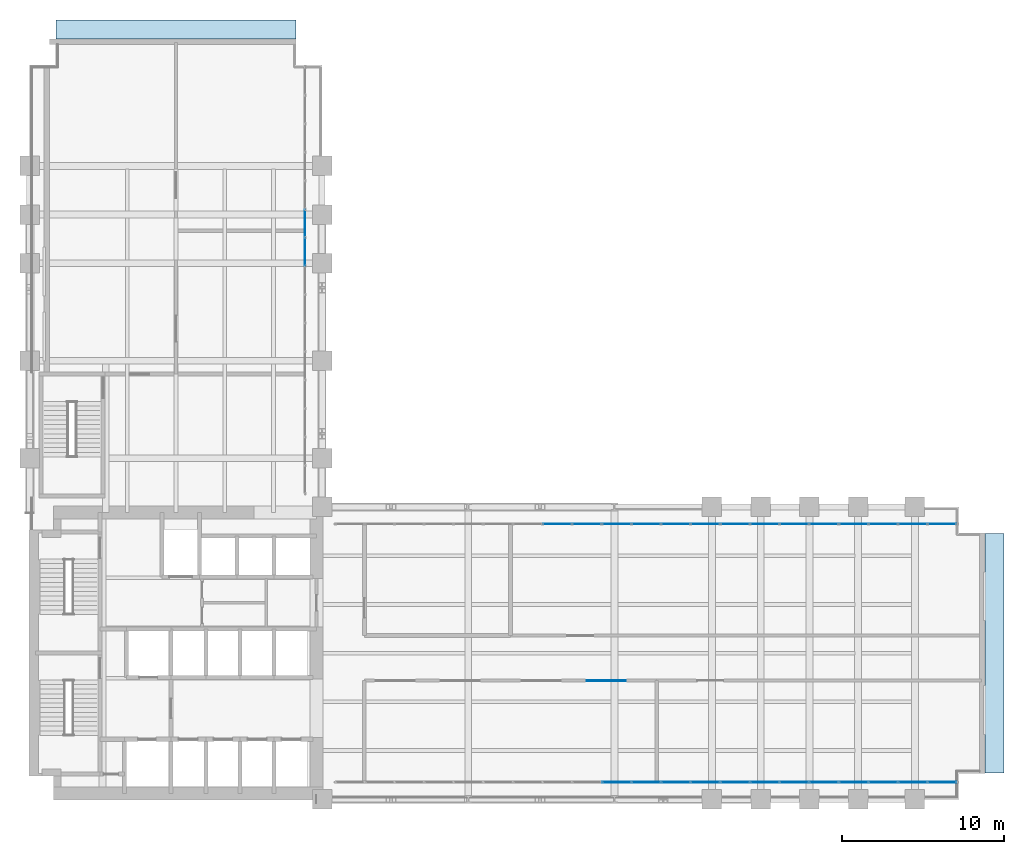
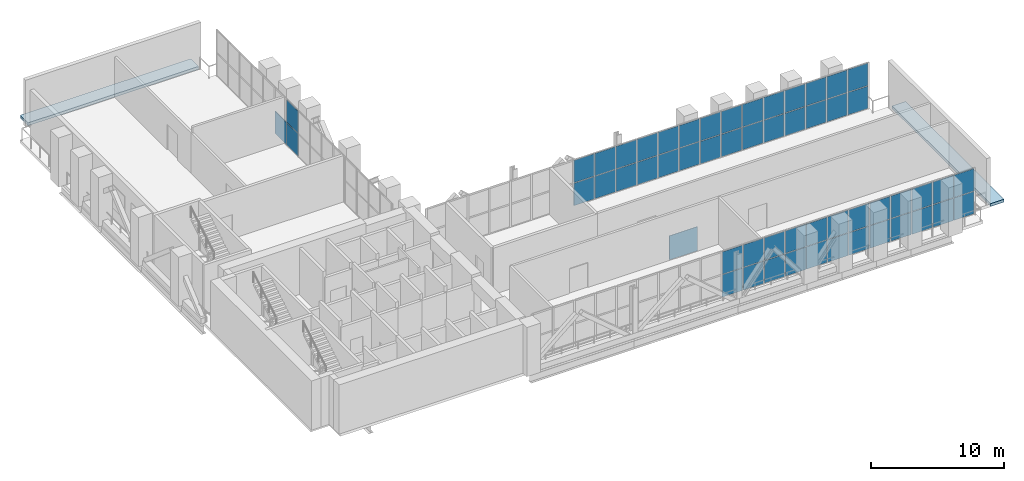
# One storey, part 22 of 27: 56 plates, 2 slabs, 3 elements without a shape of their own.
"""IFC4 building model written with IfcOpenShell, lengths in metres."""

from ifc_helpers import new_model, si_unit, direction, frame, origin, origin_2d, place, context, subcontext, project, spatial, polyline, rectangle, outline, extrude, material, layer, layer_set, type_object, element, aggregate, save


model = new_model("IFC4")

# Units and contexts
model_context = context("Model", 3, precision=1e-05, world=origin(), true_north=direction((0.0, 1.0)))
body_context = subcontext(model_context, "Body", "Model", "MODEL_VIEW")
ifc_project = project(units=[si_unit("LENGTHUNIT", "METRE"), si_unit("AREAUNIT", "SQUARE_METRE"), si_unit("VOLUMEUNIT", "CUBIC_METRE"), si_unit("PLANEANGLEUNIT", "RADIAN"), si_unit("MASSUNIT", "GRAM", prefix="KILO")], contexts=[model_context])

# Site, building, storey
site_placement = place(None, origin())
site = spatial("IfcSite", under=ifc_project, at=site_placement, CompositionType="ELEMENT")
building_placement = place(site_placement, origin())
building = spatial("IfcBuilding", under=site, at=building_placement, Name="Mawjdan Bourse Tower", CompositionType="ELEMENT")
storey_placement = place(building_placement, frame((0.0, 0.0, 84.60009765625)))
storey = spatial("IfcBuildingStorey", under=building, at=storey_placement, Name="L19", CompositionType="ELEMENT", Elevation=84.60009765625)

# Plate
ifc_material_1 = material(Name="Perforated Acoustic Aluminium Sheet", Category="aluminium")
ifc_layer_1 = layer(ifc_material_1, 0.044921875)
ifc_layer_set_1 = layer_set([ifc_layer_1], Name="Perforated Acoustic Aluminium Sheet")
plate_type_1 = type_object("IfcPlateType", Name="PLT-SCR-2400", PredefinedType="SHEET", material=ifc_layer_set_1)
plate_1_placement = place(storey_placement, frame((41.5, 10.300048828125, 0.0), z_axis=(0.0, 0.0, 1.0), x_axis=(1.0, 0.0, 0.0)))
element("IfcPlate", 1, at=plate_1_placement, inside=storey, type_object=plate_type_1, Name="L19 Acoustic Plant Plenum Screen 4", PredefinedType="SHEET", context=body_context, shape_type="SweptSolid", body=[
    extrude(rectangle(XDim=2.39990234375, YDim=0.044921875, at=origin_2d()), origin(), (0.0, 0.0, 1.0), 2.199951171875),
])

# Curtain wall, plates
ifc_material_2 = material(Name="Thermally Broken Aluminium and Solar Glass", Category="aluminium")
ifc_layer_2 = layer(ifc_material_2, 0.219970703125)
ifc_layer_set_2 = layer_set([ifc_layer_2], Name="Thermally Broken Aluminium and Solar Glass")
curtain_wall_type = type_object("IfcCurtainWallType", Name="CW-RFG", PredefinedType="USERDEFINED", material=ifc_layer_set_2)
curtain_wall_1_placement = place(storey_placement, origin())
curtain_wall_1 = element("IfcCurtainWall", 2, at=curtain_wall_1_placement, inside=storey, type_object=curtain_wall_type, Name="L19 Refuge Band South Louvre Curtain Wall", ObjectType="REFUGE BAND LOUVRE SCREEN", PredefinedType="USERDEFINED")
ifc_material_3 = material(Name="Anodised Sand-Trap Aluminium Louvre", Category="aluminium")
ifc_layer_3 = layer(ifc_material_3, 0.050048828125)
ifc_layer_set_3 = layer_set([ifc_layer_3], Name="Anodised Sand-Trap Aluminium Louvre")
plate_type_2 = type_object("IfcPlateType", Name="PNL-CW-RFG", PredefinedType="CURTAIN_PANEL", material=ifc_layer_set_3)
plate_2_placement = place(storey_placement, frame((42.126220703125, 4.050048828125, 0.054931640625), z_axis=(0.0, 0.0, 1.0), x_axis=(1.0, 0.0, 0.0)))
plate_2 = element("IfcPlate", 3, at=plate_2_placement, type_object=plate_type_2, Name="CW-RFG-L19-RFG-S panel 10.1", PredefinedType="CURTAIN_PANEL", context=body_context, shape_type="SweptSolid", body=[
    extrude(rectangle(XDim=1.7587890625, YDim=0.050048828125, at=origin_2d()), origin(), (0.0, 0.0, 1.0), 2.04248046875),
])
plate_3_placement = place(storey_placement, frame((42.126220703125, 4.050048828125, 2.15234375), z_axis=(0.0, 0.0, 1.0), x_axis=(1.0, 0.0, 0.0)))
plate_3 = element("IfcPlate", 4, at=plate_3_placement, type_object=plate_type_2, Name="CW-RFG-L19-RFG-S panel 10.2", PredefinedType="CURTAIN_PANEL", context=body_context, shape_type="SweptSolid", body=[
    extrude(rectangle(XDim=1.7587890625, YDim=0.050048828125, at=origin_2d()), origin(), (0.0, 0.0, 1.0), 2.04248046875),
])
plate_4_placement = place(storey_placement, frame((43.949951171875, 4.050048828125, 0.054931640625), z_axis=(0.0, 0.0, 1.0), x_axis=(1.0, 0.0, 0.0)))
plate_4 = element("IfcPlate", 5, at=plate_4_placement, type_object=plate_type_2, Name="CW-RFG-L19-RFG-S panel 11.1", PredefinedType="CURTAIN_PANEL", context=body_context, shape_type="SweptSolid", body=[
    extrude(rectangle(XDim=1.7587890625, YDim=0.050048828125, at=origin_2d()), origin(), (0.0, 0.0, 1.0), 2.04248046875),
])
plate_5_placement = place(storey_placement, frame((43.949951171875, 4.050048828125, 2.15234375), z_axis=(0.0, 0.0, 1.0), x_axis=(1.0, 0.0, 0.0)))
plate_5 = element("IfcPlate", 6, at=plate_5_placement, type_object=plate_type_2, Name="CW-RFG-L19-RFG-S panel 11.2", PredefinedType="CURTAIN_PANEL", context=body_context, shape_type="SweptSolid", body=[
    extrude(rectangle(XDim=1.7587890625, YDim=0.050048828125, at=origin_2d()), origin(), (0.0, 0.0, 1.0), 2.04248046875),
])
plate_6_placement = place(storey_placement, frame((45.77392578125, 4.050048828125, 0.054931640625), z_axis=(0.0, 0.0, 1.0), x_axis=(1.0, 0.0, 0.0)))
plate_6 = element("IfcPlate", 7, at=plate_6_placement, type_object=plate_type_2, Name="CW-RFG-L19-RFG-S panel 12.1", PredefinedType="CURTAIN_PANEL", context=body_context, shape_type="SweptSolid", body=[
    extrude(rectangle(XDim=1.7587890625, YDim=0.050048828125, at=origin_2d()), origin(), (0.0, 0.0, 1.0), 2.04248046875),
])
plate_7_placement = place(storey_placement, frame((45.77392578125, 4.050048828125, 2.15234375), z_axis=(0.0, 0.0, 1.0), x_axis=(1.0, 0.0, 0.0)))
plate_7 = element("IfcPlate", 8, at=plate_7_placement, type_object=plate_type_2, Name="CW-RFG-L19-RFG-S panel 12.2", PredefinedType="CURTAIN_PANEL", context=body_context, shape_type="SweptSolid", body=[
    extrude(rectangle(XDim=1.7587890625, YDim=0.050048828125, at=origin_2d()), origin(), (0.0, 0.0, 1.0), 2.04248046875),
])
plate_8_placement = place(storey_placement, frame((47.59765625, 4.050048828125, 0.054931640625), z_axis=(0.0, 0.0, 1.0), x_axis=(1.0, 0.0, 0.0)))
plate_8 = element("IfcPlate", 9, at=plate_8_placement, type_object=plate_type_2, Name="CW-RFG-L19-RFG-S panel 13.1", PredefinedType="CURTAIN_PANEL", context=body_context, shape_type="SweptSolid", body=[
    extrude(rectangle(XDim=1.7587890625, YDim=0.050048828125, at=origin_2d()), origin(), (0.0, 0.0, 1.0), 2.04248046875),
])
plate_9_placement = place(storey_placement, frame((47.59765625, 4.050048828125, 2.15234375), z_axis=(0.0, 0.0, 1.0), x_axis=(1.0, 0.0, 0.0)))
plate_9 = element("IfcPlate", 10, at=plate_9_placement, type_object=plate_type_2, Name="CW-RFG-L19-RFG-S panel 13.2", PredefinedType="CURTAIN_PANEL", context=body_context, shape_type="SweptSolid", body=[
    extrude(rectangle(XDim=1.7587890625, YDim=0.050048828125, at=origin_2d()), origin(), (0.0, 0.0, 1.0), 2.04248046875),
])
plate_10_placement = place(storey_placement, frame((49.42138671875, 4.050048828125, 0.054931640625), z_axis=(0.0, 0.0, 1.0), x_axis=(1.0, 0.0, 0.0)))
plate_10 = element("IfcPlate", 11, at=plate_10_placement, type_object=plate_type_2, Name="CW-RFG-L19-RFG-S panel 14.1", PredefinedType="CURTAIN_PANEL", context=body_context, shape_type="SweptSolid", body=[
    extrude(rectangle(XDim=1.7587890625, YDim=0.050048828125, at=origin_2d()), origin(), (0.0, 0.0, 1.0), 2.04248046875),
])
plate_11_placement = place(storey_placement, frame((49.42138671875, 4.050048828125, 2.15234375), z_axis=(0.0, 0.0, 1.0), x_axis=(1.0, 0.0, 0.0)))
plate_11 = element("IfcPlate", 12, at=plate_11_placement, type_object=plate_type_2, Name="CW-RFG-L19-RFG-S panel 14.2", PredefinedType="CURTAIN_PANEL", context=body_context, shape_type="SweptSolid", body=[
    extrude(rectangle(XDim=1.7587890625, YDim=0.050048828125, at=origin_2d()), origin(), (0.0, 0.0, 1.0), 2.04248046875),
])
plate_12_placement = place(storey_placement, frame((51.2451171875, 4.050048828125, 0.054931640625), z_axis=(0.0, 0.0, 1.0), x_axis=(1.0, 0.0, 0.0)))
plate_12 = element("IfcPlate", 13, at=plate_12_placement, type_object=plate_type_2, Name="CW-RFG-L19-RFG-S panel 15.1", PredefinedType="CURTAIN_PANEL", context=body_context, shape_type="SweptSolid", body=[
    extrude(rectangle(XDim=1.7587890625, YDim=0.050048828125, at=origin_2d()), origin(), (0.0, 0.0, 1.0), 2.04248046875),
])
plate_13_placement = place(storey_placement, frame((51.2451171875, 4.050048828125, 2.15234375), z_axis=(0.0, 0.0, 1.0), x_axis=(1.0, 0.0, 0.0)))
plate_13 = element("IfcPlate", 14, at=plate_13_placement, type_object=plate_type_2, Name="CW-RFG-L19-RFG-S panel 15.2", PredefinedType="CURTAIN_PANEL", context=body_context, shape_type="SweptSolid", body=[
    extrude(rectangle(XDim=1.7587890625, YDim=0.050048828125, at=origin_2d()), origin(), (0.0, 0.0, 1.0), 2.04248046875),
])
plate_14_placement = place(storey_placement, frame((53.069091796875, 4.050048828125, 0.054931640625), z_axis=(0.0, 0.0, 1.0), x_axis=(1.0, 0.0, 0.0)))
plate_14 = element("IfcPlate", 15, at=plate_14_placement, type_object=plate_type_2, Name="CW-RFG-L19-RFG-S panel 16.1", PredefinedType="CURTAIN_PANEL", context=body_context, shape_type="SweptSolid", body=[
    extrude(rectangle(XDim=1.7587890625, YDim=0.050048828125, at=origin_2d()), origin(), (0.0, 0.0, 1.0), 2.04248046875),
])
plate_15_placement = place(storey_placement, frame((53.069091796875, 4.050048828125, 2.15234375), z_axis=(0.0, 0.0, 1.0), x_axis=(1.0, 0.0, 0.0)))
plate_15 = element("IfcPlate", 16, at=plate_15_placement, type_object=plate_type_2, Name="CW-RFG-L19-RFG-S panel 16.2", PredefinedType="CURTAIN_PANEL", context=body_context, shape_type="SweptSolid", body=[
    extrude(rectangle(XDim=1.7587890625, YDim=0.050048828125, at=origin_2d()), origin(), (0.0, 0.0, 1.0), 2.04248046875),
])
plate_16_placement = place(storey_placement, frame((54.892822265625, 4.050048828125, 0.054931640625), z_axis=(0.0, 0.0, 1.0), x_axis=(1.0, 0.0, 0.0)))
plate_16 = element("IfcPlate", 17, at=plate_16_placement, type_object=plate_type_2, Name="CW-RFG-L19-RFG-S panel 17.1", PredefinedType="CURTAIN_PANEL", context=body_context, shape_type="SweptSolid", body=[
    extrude(rectangle(XDim=1.7587890625, YDim=0.050048828125, at=origin_2d()), origin(), (0.0, 0.0, 1.0), 2.04248046875),
])
plate_17_placement = place(storey_placement, frame((54.892822265625, 4.050048828125, 2.15234375), z_axis=(0.0, 0.0, 1.0), x_axis=(1.0, 0.0, 0.0)))
plate_17 = element("IfcPlate", 18, at=plate_17_placement, type_object=plate_type_2, Name="CW-RFG-L19-RFG-S panel 17.2", PredefinedType="CURTAIN_PANEL", context=body_context, shape_type="SweptSolid", body=[
    extrude(rectangle(XDim=1.7587890625, YDim=0.050048828125, at=origin_2d()), origin(), (0.0, 0.0, 1.0), 2.04248046875),
])
plate_18_placement = place(storey_placement, frame((56.716552734375, 4.050048828125, 0.054931640625), z_axis=(0.0, 0.0, 1.0), x_axis=(1.0, 0.0, 0.0)))
plate_18 = element("IfcPlate", 19, at=plate_18_placement, type_object=plate_type_2, Name="CW-RFG-L19-RFG-S panel 18.1", PredefinedType="CURTAIN_PANEL", context=body_context, shape_type="SweptSolid", body=[
    extrude(rectangle(XDim=1.7587890625, YDim=0.050048828125, at=origin_2d()), origin(), (0.0, 0.0, 1.0), 2.04248046875),
])
plate_19_placement = place(storey_placement, frame((56.716552734375, 4.050048828125, 2.15234375), z_axis=(0.0, 0.0, 1.0), x_axis=(1.0, 0.0, 0.0)))
plate_19 = element("IfcPlate", 20, at=plate_19_placement, type_object=plate_type_2, Name="CW-RFG-L19-RFG-S panel 18.2", PredefinedType="CURTAIN_PANEL", context=body_context, shape_type="SweptSolid", body=[
    extrude(rectangle(XDim=1.7587890625, YDim=0.050048828125, at=origin_2d()), origin(), (0.0, 0.0, 1.0), 2.04248046875),
])
plate_20_placement = place(storey_placement, frame((58.54052734375, 4.050048828125, 0.054931640625), z_axis=(0.0, 0.0, 1.0), x_axis=(1.0, 0.0, 0.0)))
plate_20 = element("IfcPlate", 21, at=plate_20_placement, type_object=plate_type_2, Name="CW-RFG-L19-RFG-S panel 19.1", PredefinedType="CURTAIN_PANEL", context=body_context, shape_type="SweptSolid", body=[
    extrude(rectangle(XDim=1.7587890625, YDim=0.050048828125, at=origin_2d()), origin(), (0.0, 0.0, 1.0), 2.04248046875),
])
plate_21_placement = place(storey_placement, frame((58.54052734375, 4.050048828125, 2.15234375), z_axis=(0.0, 0.0, 1.0), x_axis=(1.0, 0.0, 0.0)))
plate_21 = element("IfcPlate", 22, at=plate_21_placement, type_object=plate_type_2, Name="CW-RFG-L19-RFG-S panel 19.2", PredefinedType="CURTAIN_PANEL", context=body_context, shape_type="SweptSolid", body=[
    extrude(rectangle(XDim=1.7587890625, YDim=0.050048828125, at=origin_2d()), origin(), (0.0, 0.0, 1.0), 2.04248046875),
])
plate_22_placement = place(storey_placement, frame((60.3642578125, 4.050048828125, 0.054931640625), z_axis=(0.0, 0.0, 1.0), x_axis=(1.0, 0.0, 0.0)))
plate_22 = element("IfcPlate", 23, at=plate_22_placement, type_object=plate_type_2, Name="CW-RFG-L19-RFG-S panel 20.1", PredefinedType="CURTAIN_PANEL", context=body_context, shape_type="SweptSolid", body=[
    extrude(rectangle(XDim=1.7587890625, YDim=0.050048828125, at=origin_2d()), origin(), (0.0, 0.0, 1.0), 2.04248046875),
])
plate_23_placement = place(storey_placement, frame((60.3642578125, 4.050048828125, 2.15234375), z_axis=(0.0, 0.0, 1.0), x_axis=(1.0, 0.0, 0.0)))
plate_23 = element("IfcPlate", 24, at=plate_23_placement, type_object=plate_type_2, Name="CW-RFG-L19-RFG-S panel 20.2", PredefinedType="CURTAIN_PANEL", context=body_context, shape_type="SweptSolid", body=[
    extrude(rectangle(XDim=1.7587890625, YDim=0.050048828125, at=origin_2d()), origin(), (0.0, 0.0, 1.0), 2.04248046875),
])
plate_24_placement = place(storey_placement, frame((62.171875, 4.050048828125, 0.054931640625), z_axis=(0.0, 0.0, 1.0), x_axis=(1.0, 0.0, 0.0)))
plate_24 = element("IfcPlate", 25, at=plate_24_placement, type_object=plate_type_2, Name="CW-RFG-L19-RFG-S panel 21.1", PredefinedType="CURTAIN_PANEL", context=body_context, shape_type="SweptSolid", body=[
    extrude(rectangle(XDim=1.726318359375, YDim=0.050048828125, at=origin_2d()), origin(), (0.0, 0.0, 1.0), 2.04248046875),
])
plate_25_placement = place(storey_placement, frame((62.171875, 4.050048828125, 2.15234375), z_axis=(0.0, 0.0, 1.0), x_axis=(1.0, 0.0, 0.0)))
plate_25 = element("IfcPlate", 26, at=plate_25_placement, type_object=plate_type_2, Name="CW-RFG-L19-RFG-S panel 21.2", PredefinedType="CURTAIN_PANEL", context=body_context, shape_type="SweptSolid", body=[
    extrude(rectangle(XDim=1.726318359375, YDim=0.050048828125, at=origin_2d()), origin(), (0.0, 0.0, 1.0), 2.04248046875),
])
aggregate(curtain_wall_1, [plate_2, plate_3, plate_4, plate_5, plate_6, plate_7, plate_8, plate_9, plate_10, plate_11, plate_12, plate_13, plate_14, plate_15, plate_16, plate_17, plate_18, plate_19, plate_20, plate_21, plate_22, plate_23, plate_24, plate_25])

curtain_wall_2_placement = place(storey_placement, origin())
curtain_wall_2 = element("IfcCurtainWall", 27, at=curtain_wall_2_placement, inside=storey, type_object=curtain_wall_type, Name="L19 Refuge Band North Louvre Curtain Wall", ObjectType="REFUGE BAND LOUVRE SCREEN", PredefinedType="USERDEFINED")
plate_26_placement = place(storey_placement, frame((62.171875, 19.949951171875, 0.054931640625), z_axis=(0.0, 0.0, 1.0), x_axis=(-1.0, 0.0, 0.0)))
plate_26 = element("IfcPlate", 28, at=plate_26_placement, type_object=plate_type_2, Name="CW-RFG-L19-RFG-N panel 1.1", PredefinedType="CURTAIN_PANEL", context=body_context, shape_type="SweptSolid", body=[
    extrude(rectangle(XDim=1.726318359375, YDim=0.050048828125, at=origin_2d()), origin(), (0.0, 0.0, 1.0), 2.04248046875),
])
plate_27_placement = place(storey_placement, frame((62.171875, 19.949951171875, 2.15234375), z_axis=(0.0, 0.0, 1.0), x_axis=(-1.0, 0.0, 0.0)))
plate_27 = element("IfcPlate", 29, at=plate_27_placement, type_object=plate_type_2, Name="CW-RFG-L19-RFG-N panel 1.2", PredefinedType="CURTAIN_PANEL", context=body_context, shape_type="SweptSolid", body=[
    extrude(rectangle(XDim=1.726318359375, YDim=0.050048828125, at=origin_2d()), origin(), (0.0, 0.0, 1.0), 2.04248046875),
])
plate_28_placement = place(storey_placement, frame((60.3642578125, 19.949951171875, 0.054931640625), z_axis=(0.0, 0.0, 1.0), x_axis=(-1.0, 0.0, 0.0)))
plate_28 = element("IfcPlate", 30, at=plate_28_placement, type_object=plate_type_2, Name="CW-RFG-L19-RFG-N panel 2.1", PredefinedType="CURTAIN_PANEL", context=body_context, shape_type="SweptSolid", body=[
    extrude(rectangle(XDim=1.7587890625, YDim=0.050048828125, at=origin_2d()), origin(), (0.0, 0.0, 1.0), 2.04248046875),
])
plate_29_placement = place(storey_placement, frame((60.3642578125, 19.949951171875, 2.15234375), z_axis=(0.0, 0.0, 1.0), x_axis=(-1.0, 0.0, 0.0)))
plate_29 = element("IfcPlate", 31, at=plate_29_placement, type_object=plate_type_2, Name="CW-RFG-L19-RFG-N panel 2.2", PredefinedType="CURTAIN_PANEL", context=body_context, shape_type="SweptSolid", body=[
    extrude(rectangle(XDim=1.7587890625, YDim=0.050048828125, at=origin_2d()), origin(), (0.0, 0.0, 1.0), 2.04248046875),
])
plate_30_placement = place(storey_placement, frame((58.54052734375, 19.949951171875, 0.054931640625), z_axis=(0.0, 0.0, 1.0), x_axis=(-1.0, 0.0, 0.0)))
plate_30 = element("IfcPlate", 32, at=plate_30_placement, type_object=plate_type_2, Name="CW-RFG-L19-RFG-N panel 3.1", PredefinedType="CURTAIN_PANEL", context=body_context, shape_type="SweptSolid", body=[
    extrude(rectangle(XDim=1.7587890625, YDim=0.050048828125, at=origin_2d()), origin(), (0.0, 0.0, 1.0), 2.04248046875),
])
plate_31_placement = place(storey_placement, frame((58.54052734375, 19.949951171875, 2.15234375), z_axis=(0.0, 0.0, 1.0), x_axis=(-1.0, 0.0, 0.0)))
plate_31 = element("IfcPlate", 33, at=plate_31_placement, type_object=plate_type_2, Name="CW-RFG-L19-RFG-N panel 3.2", PredefinedType="CURTAIN_PANEL", context=body_context, shape_type="SweptSolid", body=[
    extrude(rectangle(XDim=1.7587890625, YDim=0.050048828125, at=origin_2d()), origin(), (0.0, 0.0, 1.0), 2.04248046875),
])
plate_32_placement = place(storey_placement, frame((56.716552734375, 19.949951171875, 0.054931640625), z_axis=(0.0, 0.0, 1.0), x_axis=(-1.0, 0.0, 0.0)))
plate_32 = element("IfcPlate", 34, at=plate_32_placement, type_object=plate_type_2, Name="CW-RFG-L19-RFG-N panel 4.1", PredefinedType="CURTAIN_PANEL", context=body_context, shape_type="SweptSolid", body=[
    extrude(rectangle(XDim=1.7587890625, YDim=0.050048828125, at=origin_2d()), origin(), (0.0, 0.0, 1.0), 2.04248046875),
])
plate_33_placement = place(storey_placement, frame((56.716552734375, 19.949951171875, 2.15234375), z_axis=(0.0, 0.0, 1.0), x_axis=(-1.0, 0.0, 0.0)))
plate_33 = element("IfcPlate", 35, at=plate_33_placement, type_object=plate_type_2, Name="CW-RFG-L19-RFG-N panel 4.2", PredefinedType="CURTAIN_PANEL", context=body_context, shape_type="SweptSolid", body=[
    extrude(rectangle(XDim=1.7587890625, YDim=0.050048828125, at=origin_2d()), origin(), (0.0, 0.0, 1.0), 2.04248046875),
])
plate_34_placement = place(storey_placement, frame((54.892822265625, 19.949951171875, 0.054931640625), z_axis=(0.0, 0.0, 1.0), x_axis=(-1.0, 0.0, 0.0)))
plate_34 = element("IfcPlate", 36, at=plate_34_placement, type_object=plate_type_2, Name="CW-RFG-L19-RFG-N panel 5.1", PredefinedType="CURTAIN_PANEL", context=body_context, shape_type="SweptSolid", body=[
    extrude(rectangle(XDim=1.7587890625, YDim=0.050048828125, at=origin_2d()), origin(), (0.0, 0.0, 1.0), 2.04248046875),
])
plate_35_placement = place(storey_placement, frame((54.892822265625, 19.949951171875, 2.15234375), z_axis=(0.0, 0.0, 1.0), x_axis=(-1.0, 0.0, 0.0)))
plate_35 = element("IfcPlate", 37, at=plate_35_placement, type_object=plate_type_2, Name="CW-RFG-L19-RFG-N panel 5.2", PredefinedType="CURTAIN_PANEL", context=body_context, shape_type="SweptSolid", body=[
    extrude(rectangle(XDim=1.7587890625, YDim=0.050048828125, at=origin_2d()), origin(), (0.0, 0.0, 1.0), 2.04248046875),
])
plate_36_placement = place(storey_placement, frame((53.069091796875, 19.949951171875, 0.054931640625), z_axis=(0.0, 0.0, 1.0), x_axis=(-1.0, 0.0, 0.0)))
plate_36 = element("IfcPlate", 38, at=plate_36_placement, type_object=plate_type_2, Name="CW-RFG-L19-RFG-N panel 6.1", PredefinedType="CURTAIN_PANEL", context=body_context, shape_type="SweptSolid", body=[
    extrude(rectangle(XDim=1.7587890625, YDim=0.050048828125, at=origin_2d()), origin(), (0.0, 0.0, 1.0), 2.04248046875),
])
plate_37_placement = place(storey_placement, frame((53.069091796875, 19.949951171875, 2.15234375), z_axis=(0.0, 0.0, 1.0), x_axis=(-1.0, 0.0, 0.0)))
plate_37 = element("IfcPlate", 39, at=plate_37_placement, type_object=plate_type_2, Name="CW-RFG-L19-RFG-N panel 6.2", PredefinedType="CURTAIN_PANEL", context=body_context, shape_type="SweptSolid", body=[
    extrude(rectangle(XDim=1.7587890625, YDim=0.050048828125, at=origin_2d()), origin(), (0.0, 0.0, 1.0), 2.04248046875),
])
plate_38_placement = place(storey_placement, frame((51.2451171875, 19.949951171875, 0.054931640625), z_axis=(0.0, 0.0, 1.0), x_axis=(-1.0, 0.0, 0.0)))
plate_38 = element("IfcPlate", 40, at=plate_38_placement, type_object=plate_type_2, Name="CW-RFG-L19-RFG-N panel 7.1", PredefinedType="CURTAIN_PANEL", context=body_context, shape_type="SweptSolid", body=[
    extrude(rectangle(XDim=1.7587890625, YDim=0.050048828125, at=origin_2d()), origin(), (0.0, 0.0, 1.0), 2.04248046875),
])
plate_39_placement = place(storey_placement, frame((51.2451171875, 19.949951171875, 2.15234375), z_axis=(0.0, 0.0, 1.0), x_axis=(-1.0, 0.0, 0.0)))
plate_39 = element("IfcPlate", 41, at=plate_39_placement, type_object=plate_type_2, Name="CW-RFG-L19-RFG-N panel 7.2", PredefinedType="CURTAIN_PANEL", context=body_context, shape_type="SweptSolid", body=[
    extrude(rectangle(XDim=1.7587890625, YDim=0.050048828125, at=origin_2d()), origin(), (0.0, 0.0, 1.0), 2.04248046875),
])
plate_40_placement = place(storey_placement, frame((49.42138671875, 19.949951171875, 0.054931640625), z_axis=(0.0, 0.0, 1.0), x_axis=(-1.0, 0.0, 0.0)))
plate_40 = element("IfcPlate", 42, at=plate_40_placement, type_object=plate_type_2, Name="CW-RFG-L19-RFG-N panel 8.1", PredefinedType="CURTAIN_PANEL", context=body_context, shape_type="SweptSolid", body=[
    extrude(rectangle(XDim=1.7587890625, YDim=0.050048828125, at=origin_2d()), origin(), (0.0, 0.0, 1.0), 2.04248046875),
])
plate_41_placement = place(storey_placement, frame((49.42138671875, 19.949951171875, 2.15234375), z_axis=(0.0, 0.0, 1.0), x_axis=(-1.0, 0.0, 0.0)))
plate_41 = element("IfcPlate", 43, at=plate_41_placement, type_object=plate_type_2, Name="CW-RFG-L19-RFG-N panel 8.2", PredefinedType="CURTAIN_PANEL", context=body_context, shape_type="SweptSolid", body=[
    extrude(rectangle(XDim=1.7587890625, YDim=0.050048828125, at=origin_2d()), origin(), (0.0, 0.0, 1.0), 2.04248046875),
])
plate_42_placement = place(storey_placement, frame((47.59765625, 19.949951171875, 0.054931640625), z_axis=(0.0, 0.0, 1.0), x_axis=(-1.0, 0.0, 0.0)))
plate_42 = element("IfcPlate", 44, at=plate_42_placement, type_object=plate_type_2, Name="CW-RFG-L19-RFG-N panel 9.1", PredefinedType="CURTAIN_PANEL", context=body_context, shape_type="SweptSolid", body=[
    extrude(rectangle(XDim=1.7587890625, YDim=0.050048828125, at=origin_2d()), origin(), (0.0, 0.0, 1.0), 2.04248046875),
])
plate_43_placement = place(storey_placement, frame((47.59765625, 19.949951171875, 2.15234375), z_axis=(0.0, 0.0, 1.0), x_axis=(-1.0, 0.0, 0.0)))
plate_43 = element("IfcPlate", 45, at=plate_43_placement, type_object=plate_type_2, Name="CW-RFG-L19-RFG-N panel 9.2", PredefinedType="CURTAIN_PANEL", context=body_context, shape_type="SweptSolid", body=[
    extrude(rectangle(XDim=1.7587890625, YDim=0.050048828125, at=origin_2d()), origin(), (0.0, 0.0, 1.0), 2.04248046875),
])
plate_44_placement = place(storey_placement, frame((45.77392578125, 19.949951171875, 0.054931640625), z_axis=(0.0, 0.0, 1.0), x_axis=(-1.0, 0.0, 0.0)))
plate_44 = element("IfcPlate", 46, at=plate_44_placement, type_object=plate_type_2, Name="CW-RFG-L19-RFG-N panel 10.1", PredefinedType="CURTAIN_PANEL", context=body_context, shape_type="SweptSolid", body=[
    extrude(rectangle(XDim=1.7587890625, YDim=0.050048828125, at=origin_2d()), origin(), (0.0, 0.0, 1.0), 2.04248046875),
])
plate_45_placement = place(storey_placement, frame((45.77392578125, 19.949951171875, 2.15234375), z_axis=(0.0, 0.0, 1.0), x_axis=(-1.0, 0.0, 0.0)))
plate_45 = element("IfcPlate", 47, at=plate_45_placement, type_object=plate_type_2, Name="CW-RFG-L19-RFG-N panel 10.2", PredefinedType="CURTAIN_PANEL", context=body_context, shape_type="SweptSolid", body=[
    extrude(rectangle(XDim=1.7587890625, YDim=0.050048828125, at=origin_2d()), origin(), (0.0, 0.0, 1.0), 2.04248046875),
])
plate_46_placement = place(storey_placement, frame((43.949951171875, 19.949951171875, 0.054931640625), z_axis=(0.0, 0.0, 1.0), x_axis=(-1.0, 0.0, 0.0)))
plate_46 = element("IfcPlate", 48, at=plate_46_placement, type_object=plate_type_2, Name="CW-RFG-L19-RFG-N panel 11.1", PredefinedType="CURTAIN_PANEL", context=body_context, shape_type="SweptSolid", body=[
    extrude(rectangle(XDim=1.7587890625, YDim=0.050048828125, at=origin_2d()), origin(), (0.0, 0.0, 1.0), 2.04248046875),
])
plate_47_placement = place(storey_placement, frame((43.949951171875, 19.949951171875, 2.15234375), z_axis=(0.0, 0.0, 1.0), x_axis=(-1.0, 0.0, 0.0)))
plate_47 = element("IfcPlate", 49, at=plate_47_placement, type_object=plate_type_2, Name="CW-RFG-L19-RFG-N panel 11.2", PredefinedType="CURTAIN_PANEL", context=body_context, shape_type="SweptSolid", body=[
    extrude(rectangle(XDim=1.7587890625, YDim=0.050048828125, at=origin_2d()), origin(), (0.0, 0.0, 1.0), 2.04248046875),
])
plate_48_placement = place(storey_placement, frame((42.126220703125, 19.949951171875, 0.054931640625), z_axis=(0.0, 0.0, 1.0), x_axis=(-1.0, 0.0, 0.0)))
plate_48 = element("IfcPlate", 50, at=plate_48_placement, type_object=plate_type_2, Name="CW-RFG-L19-RFG-N panel 12.1", PredefinedType="CURTAIN_PANEL", context=body_context, shape_type="SweptSolid", body=[
    extrude(rectangle(XDim=1.7587890625, YDim=0.050048828125, at=origin_2d()), origin(), (0.0, 0.0, 1.0), 2.04248046875),
])
plate_49_placement = place(storey_placement, frame((42.126220703125, 19.949951171875, 2.15234375), z_axis=(0.0, 0.0, 1.0), x_axis=(-1.0, 0.0, 0.0)))
plate_49 = element("IfcPlate", 51, at=plate_49_placement, type_object=plate_type_2, Name="CW-RFG-L19-RFG-N panel 12.2", PredefinedType="CURTAIN_PANEL", context=body_context, shape_type="SweptSolid", body=[
    extrude(rectangle(XDim=1.7587890625, YDim=0.050048828125, at=origin_2d()), origin(), (0.0, 0.0, 1.0), 2.04248046875),
])
plate_50_placement = place(storey_placement, frame((40.302490234375, 19.949951171875, 0.054931640625), z_axis=(0.0, 0.0, 1.0), x_axis=(-1.0, 0.0, 0.0)))
plate_50 = element("IfcPlate", 52, at=plate_50_placement, type_object=plate_type_2, Name="CW-RFG-L19-RFG-N panel 13.1", PredefinedType="CURTAIN_PANEL", context=body_context, shape_type="SweptSolid", body=[
    extrude(rectangle(XDim=1.7587890625, YDim=0.050048828125, at=origin_2d()), origin(), (0.0, 0.0, 1.0), 2.04248046875),
])
plate_51_placement = place(storey_placement, frame((40.302490234375, 19.949951171875, 2.15234375), z_axis=(0.0, 0.0, 1.0), x_axis=(-1.0, 0.0, 0.0)))
plate_51 = element("IfcPlate", 53, at=plate_51_placement, type_object=plate_type_2, Name="CW-RFG-L19-RFG-N panel 13.2", PredefinedType="CURTAIN_PANEL", context=body_context, shape_type="SweptSolid", body=[
    extrude(rectangle(XDim=1.7587890625, YDim=0.050048828125, at=origin_2d()), origin(), (0.0, 0.0, 1.0), 2.04248046875),
])
plate_52_placement = place(storey_placement, frame((38.478515625, 19.949951171875, 0.054931640625), z_axis=(0.0, 0.0, 1.0), x_axis=(-1.0, 0.0, 0.0)))
plate_52 = element("IfcPlate", 54, at=plate_52_placement, type_object=plate_type_2, Name="CW-RFG-L19-RFG-N panel 14.1", PredefinedType="CURTAIN_PANEL", context=body_context, shape_type="SweptSolid", body=[
    extrude(rectangle(XDim=1.7587890625, YDim=0.050048828125, at=origin_2d()), origin(), (0.0, 0.0, 1.0), 2.04248046875),
])
plate_53_placement = place(storey_placement, frame((38.478515625, 19.949951171875, 2.15234375), z_axis=(0.0, 0.0, 1.0), x_axis=(-1.0, 0.0, 0.0)))
plate_53 = element("IfcPlate", 55, at=plate_53_placement, type_object=plate_type_2, Name="CW-RFG-L19-RFG-N panel 14.2", PredefinedType="CURTAIN_PANEL", context=body_context, shape_type="SweptSolid", body=[
    extrude(rectangle(XDim=1.7587890625, YDim=0.050048828125, at=origin_2d()), origin(), (0.0, 0.0, 1.0), 2.04248046875),
])
aggregate(curtain_wall_2, [plate_26, plate_27, plate_28, plate_29, plate_30, plate_31, plate_32, plate_33, plate_34, plate_35, plate_36, plate_37, plate_38, plate_39, plate_40, plate_41, plate_42, plate_43, plate_44, plate_45, plate_46, plate_47, plate_48, plate_49, plate_50, plate_51, plate_52, plate_53])

curtain_wall_3_placement = place(storey_placement, origin())
curtain_wall_3 = element("IfcCurtainWall", 56, at=curtain_wall_3_placement, inside=storey, type_object=curtain_wall_type, Name="L19 Refuge Band North-Wing Louvre Curtain Wall", ObjectType="REFUGE BAND LOUVRE SCREEN", PredefinedType="USERDEFINED")
plate_54_placement = place(storey_placement, frame((22.949951171875, 36.703369140625, 0.054931640625), z_axis=(0.0, 0.0, 1.0), x_axis=(0.0, 1.0, 0.0)))
plate_54 = element("IfcPlate", 57, at=plate_54_placement, type_object=plate_type_2, Name="CW-RFG-L19-RFG-W panel 9.1", PredefinedType="CURTAIN_PANEL", context=body_context, shape_type="SweptSolid", body=[
    extrude(rectangle(XDim=1.688232421875, YDim=0.050048828125, at=origin_2d()), origin(), (0.0, 0.0, 1.0), 2.04248046875),
])
plate_55_placement = place(storey_placement, frame((22.949951171875, 36.703369140625, 2.15234375), z_axis=(0.0, 0.0, 1.0), x_axis=(0.0, 1.0, 0.0)))
plate_55 = element("IfcPlate", 58, at=plate_55_placement, type_object=plate_type_2, Name="CW-RFG-L19-RFG-W panel 9.2", PredefinedType="CURTAIN_PANEL", context=body_context, shape_type="SweptSolid", body=[
    extrude(rectangle(XDim=1.688232421875, YDim=0.050048828125, at=origin_2d()), origin(), (0.0, 0.0, 1.0), 2.04248046875),
])
plate_56_placement = place(storey_placement, frame((22.949951171875, 38.456787109375, 0.054931640625), z_axis=(0.0, 0.0, 1.0), x_axis=(0.0, 1.0, 0.0)))
plate_56 = element("IfcPlate", 59, at=plate_56_placement, type_object=plate_type_2, Name="CW-RFG-L19-RFG-W panel 10.1", PredefinedType="CURTAIN_PANEL", context=body_context, shape_type="SweptSolid", body=[
    extrude(rectangle(XDim=1.688232421875, YDim=0.050048828125, at=origin_2d()), origin(), (0.0, 0.0, 1.0), 2.04248046875),
])
aggregate(curtain_wall_3, [plate_54, plate_55, plate_56])

# Slabs
ifc_material_4 = material(Name="Concrete C50/60", Category="concrete")
ifc_layer_4 = layer(ifc_material_4, 0.260009765625)
ifc_layer_set_4 = layer_set([ifc_layer_4], Name="Concrete C50/60")
slab_type = type_object("IfcSlabType", Name="SL-ROOF-260", PredefinedType="ROOF", material=ifc_layer_set_4)
slab_1_placement = place(storey_placement, frame((0.0, 0.0, -0.260009765625)))
element("IfcSlab", 60, at=slab_1_placement, inside=storey, type_object=slab_type, Name="L19 Setback Weather Roof 1", PredefinedType="ROOF", context=body_context, shape_type="SweptSolid", body=[
    extrude(outline(polyline([(7.6201171875, 49.830078125), (7.6201171875, 49.827880859375), (7.620361328125, 49.826171875), (7.620849609375, 49.82421875), (7.62158203125, 49.822265625), (7.622314453125, 49.820556640625), (7.623291015625, 49.81884765625), (7.62451171875, 49.8173828125), (7.6259765625, 49.81591796875), (7.627197265625, 49.814453125), (7.62890625, 49.8134765625), (7.630615234375, 49.8125), (7.63232421875, 49.8115234375), (7.63427734375, 49.810791015625), (7.635986328125, 49.810302734375), (7.637939453125, 49.81005859375), (7.639892578125, 49.81005859375), (22.360107421875, 49.81005859375), (22.362060546875, 49.81005859375), (22.364013671875, 49.810302734375), (22.36572265625, 49.810791015625), (22.36767578125, 49.8115234375), (22.369384765625, 49.8125), (22.37109375, 49.8134765625), (22.372802734375, 49.814453125), (22.3740234375, 49.81591796875), (22.37548828125, 49.8173828125), (22.376708984375, 49.81884765625), (22.377685546875, 49.820556640625), (22.37841796875, 49.822265625), (22.379150390625, 49.82421875), (22.379638671875, 49.826171875), (22.3798828125, 49.827880859375), (22.3798828125, 49.830078125), (22.3798828125, 50.9599609375), (22.3798828125, 50.9619140625), (22.379638671875, 50.9638671875), (22.379150390625, 50.9658203125), (22.37841796875, 50.9677734375), (22.377685546875, 50.969482421875), (22.376708984375, 50.97119140625), (22.37548828125, 50.97265625), (22.3740234375, 50.97412109375), (22.372802734375, 50.9755859375), (22.37109375, 50.9765625), (22.369384765625, 50.9775390625), (22.36767578125, 50.978515625), (22.36572265625, 50.97900390625), (22.364013671875, 50.9794921875), (22.362060546875, 50.97998046875), (22.360107421875, 50.97998046875), (7.639892578125, 50.97998046875), (7.637939453125, 50.97998046875), (7.635986328125, 50.9794921875), (7.63427734375, 50.97900390625), (7.63232421875, 50.978515625), (7.630615234375, 50.9775390625), (7.62890625, 50.9765625), (7.627197265625, 50.9755859375), (7.6259765625, 50.97412109375), (7.62451171875, 50.97265625), (7.623291015625, 50.97119140625), (7.622314453125, 50.969482421875), (7.62158203125, 50.9677734375), (7.620849609375, 50.9658203125), (7.620361328125, 50.9638671875), (7.6201171875, 50.9619140625), (7.6201171875, 50.9599609375), (7.6201171875, 49.830078125)])), origin(), (0.0, 0.0, 1.0), 0.260009765625),
])
slab_2_placement = place(storey_placement, frame((0.0, 0.0, -0.260009765625)))
element("IfcSlab", 61, at=slab_2_placement, inside=storey, type_object=slab_type, Name="L19 Setback Weather Roof 2", PredefinedType="ROOF", context=body_context, shape_type="SweptSolid", body=[
    extrude(outline(polyline([(64.830078125, 19.3798828125), (64.827880859375, 19.3798828125), (64.826171875, 19.379638671875), (64.82421875, 19.379150390625), (64.822265625, 19.37841796875), (64.820556640625, 19.377685546875), (64.81884765625, 19.376708984375), (64.8173828125, 19.37548828125), (64.81591796875, 19.3740234375), (64.814453125, 19.372802734375), (64.8134765625, 19.37109375), (64.8125, 19.369384765625), (64.8115234375, 19.36767578125), (64.810791015625, 19.36572265625), (64.810302734375, 19.364013671875), (64.81005859375, 19.362060546875), (64.81005859375, 19.360107421875), (64.81005859375, 4.639892578125), (64.81005859375, 4.637939453125), (64.810302734375, 4.635986328125), (64.810791015625, 4.63427734375), (64.8115234375, 4.63232421875), (64.8125, 4.630615234375), (64.8134765625, 4.62890625), (64.814453125, 4.627197265625), (64.81591796875, 4.6259765625), (64.8173828125, 4.62451171875), (64.81884765625, 4.623291015625), (64.820556640625, 4.622314453125), (64.822265625, 4.62158203125), (64.82421875, 4.620849609375), (64.826171875, 4.620361328125), (64.827880859375, 4.6201171875), (64.830078125, 4.6201171875), (65.9599609375, 4.6201171875), (65.9619140625, 4.6201171875), (65.9638671875, 4.620361328125), (65.9658203125, 4.620849609375), (65.9677734375, 4.62158203125), (65.969482421875, 4.622314453125), (65.97119140625, 4.623291015625), (65.97265625, 4.62451171875), (65.97412109375, 4.6259765625), (65.9755859375, 4.627197265625), (65.9765625, 4.62890625), (65.9775390625, 4.630615234375), (65.978515625, 4.63232421875), (65.97900390625, 4.63427734375), (65.9794921875, 4.635986328125), (65.97998046875, 4.637939453125), (65.97998046875, 4.639892578125), (65.97998046875, 19.360107421875), (65.97998046875, 19.362060546875), (65.9794921875, 19.364013671875), (65.97900390625, 19.36572265625), (65.978515625, 19.36767578125), (65.9775390625, 19.369384765625), (65.9765625, 19.37109375), (65.9755859375, 19.372802734375), (65.97412109375, 19.3740234375), (65.97265625, 19.37548828125), (65.97119140625, 19.376708984375), (65.969482421875, 19.377685546875), (65.9677734375, 19.37841796875), (65.9658203125, 19.379150390625), (65.9638671875, 19.379638671875), (65.9619140625, 19.3798828125), (65.9599609375, 19.3798828125), (64.830078125, 19.3798828125)])), origin(), (0.0, 0.0, 1.0), 0.260009765625),
])

save(model, "model.ifc")
